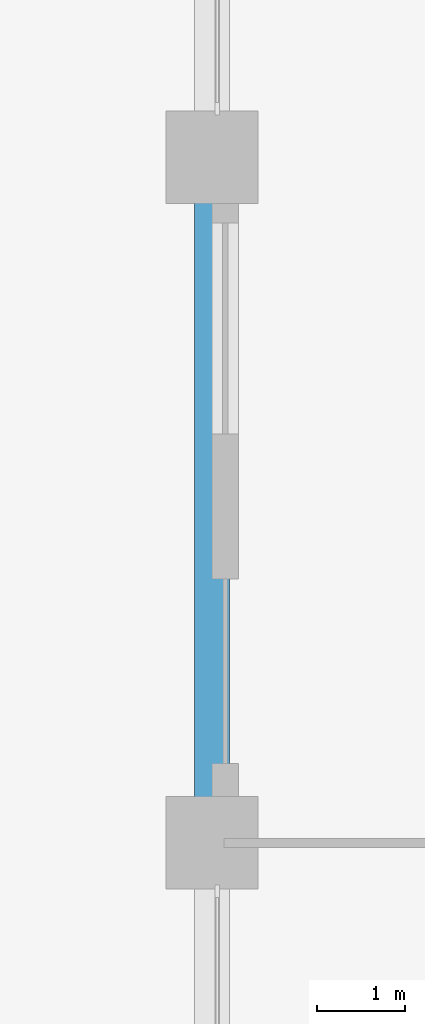
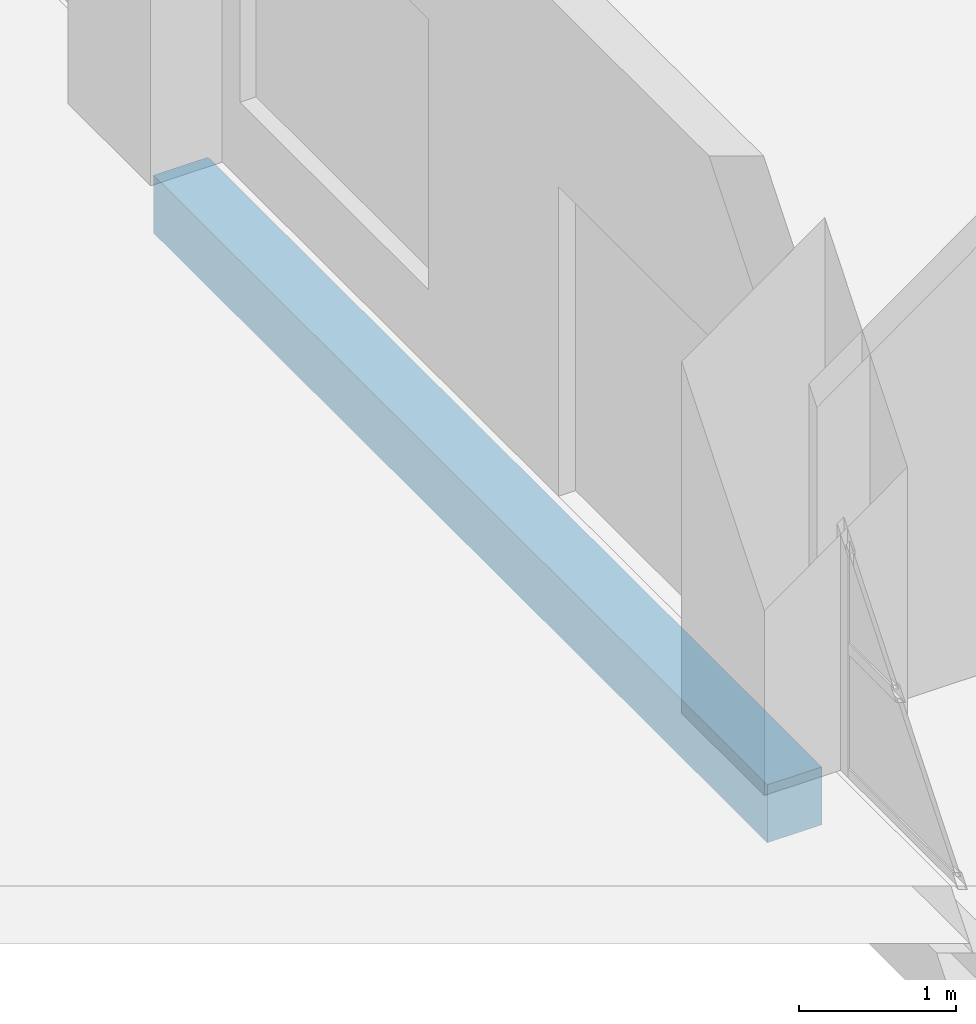
# One storey, part 3 of 31: 1 beam.
"""IFC4 building model written with IfcOpenShell, lengths in metres."""

from ifc_helpers import new_model, si_unit, direction, frame, origin, origin_2d, place, context, subcontext, project, spatial, rectangle, extrude, material, material_profile, profile_set, type_object, element, save


model = new_model("IFC4")

# Units and contexts
model_context = context("Model", 3, precision=1e-05, world=origin(), true_north=direction((0.0, 1.0)))
body_context = subcontext(model_context, "Body", "Model", "MODEL_VIEW")
ifc_project = project(units=[si_unit("LENGTHUNIT", "METRE"), si_unit("AREAUNIT", "SQUARE_METRE"), si_unit("VOLUMEUNIT", "CUBIC_METRE"), si_unit("PLANEANGLEUNIT", "RADIAN"), si_unit("MASSUNIT", "GRAM", prefix="KILO")], contexts=[model_context])

# Site, building, storey
site_placement = place(None, origin())
site = spatial("IfcSite", under=ifc_project, at=site_placement, CompositionType="ELEMENT")
building_placement = place(site_placement, origin())
building = spatial("IfcBuilding", under=site, at=building_placement, Name="Ludao Terraces", CompositionType="ELEMENT")
storey_placement = place(building_placement, frame((0.0, 0.0, 15.0)))
storey = spatial("IfcBuildingStorey", under=building, at=storey_placement, Name="L03", CompositionType="ELEMENT", Elevation=15.0)

# Beam
ifc_material = material(Name="Concrete C40", Category="concrete")
ifc_material_profile = material_profile(ifc_material, rectangle(XDim=0.39990234375, YDim=0.449951171875, at=origin_2d()), Name="400 X 450")
ifc_profile_set = profile_set([ifc_material_profile], Name="Concrete C40")
beam_type = type_object("IfcBeamType", Name="RC beam 400x450 C40", PredefinedType="BEAM", material=ifc_profile_set)
beam_placement = place(storey_placement, frame((61.60009765625, 57.199951171875, -0.574951171875), z_axis=(0.0, 1.0, 0.0), x_axis=(-1.0, 0.0, 0.0)))
element("IfcBeam", 1, at=beam_placement, inside=storey, type_object=beam_type, Name="Spandrel beam L03 W15", PredefinedType="BEAM", context=body_context, shape_type="SweptSolid", body=[
    extrude(rectangle(XDim=0.39990234375, YDim=0.449951171875, at=origin_2d()), origin(), (0.0, 0.0, 1.0), 7.800048828125),
])

save(model, "model.ifc")
